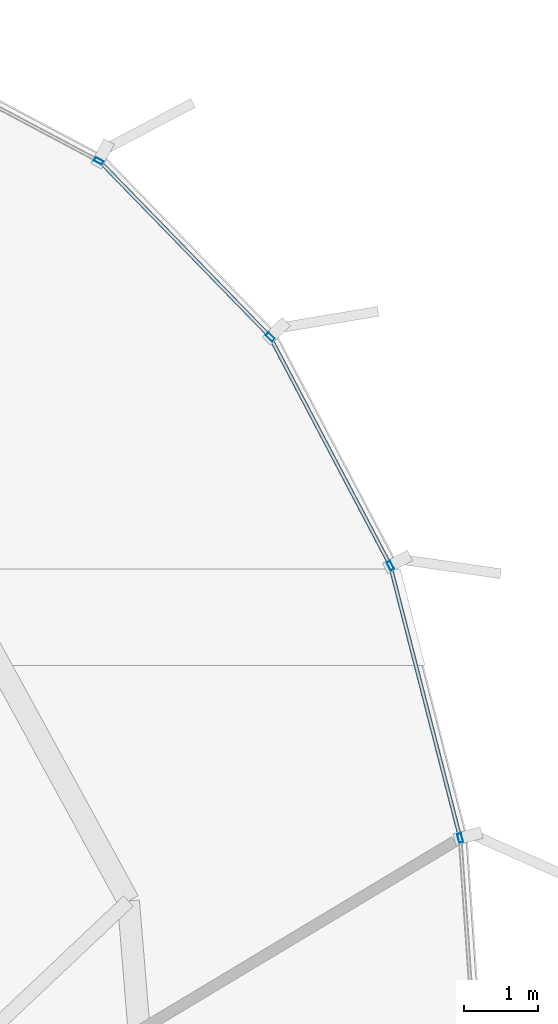
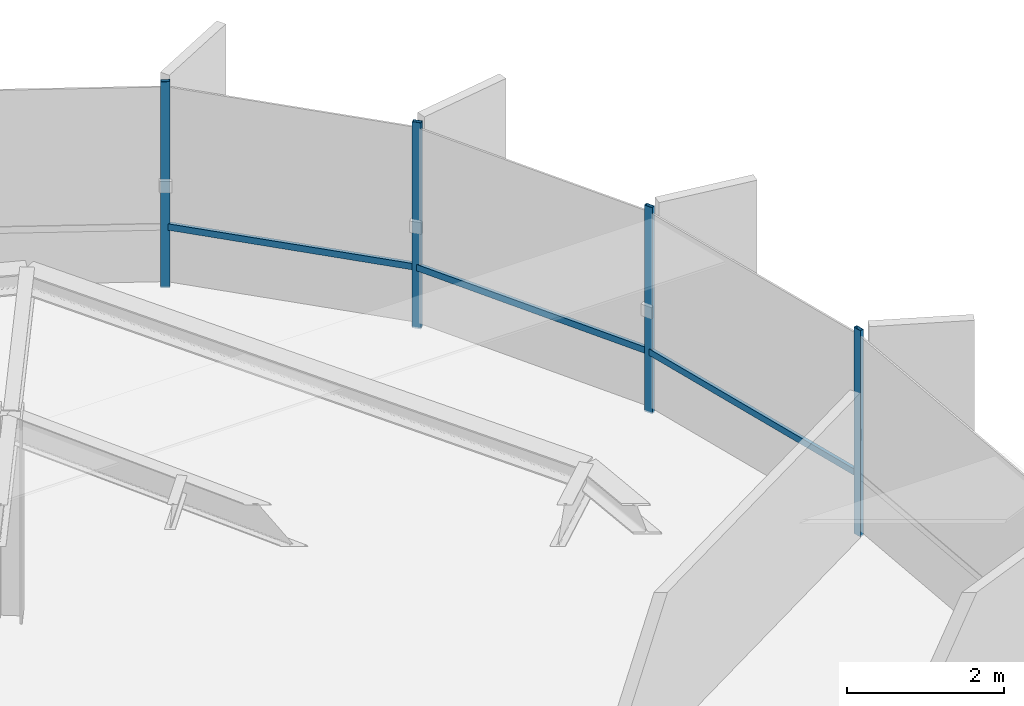
# One storey, part 26 of 35: 7 members, 2 elements without a shape of their own.
"""IFC4 building model written with IfcOpenShell, lengths in metres."""

from ifc_helpers import new_model, si_unit, direction, frame, origin, origin_2d, place, context, subcontext, project, spatial, hollow_rectangle, extrude, source, transform, mapped, material, layer, layer_set, material_profile, profile_set, type_object, element, aggregate, save


model = new_model("IFC4")

# Units and contexts
model_context = context("Model", 3, precision=1e-05, world=origin(), true_north=direction((0.0, 1.0)))
body_context = subcontext(model_context, "Body", "Model", "MODEL_VIEW")
ifc_project = project(units=[si_unit("LENGTHUNIT", "METRE"), si_unit("AREAUNIT", "SQUARE_METRE"), si_unit("VOLUMEUNIT", "CUBIC_METRE"), si_unit("PLANEANGLEUNIT", "RADIAN"), si_unit("MASSUNIT", "GRAM", prefix="KILO"), si_unit("THERMODYNAMICTEMPERATUREUNIT", "KELVIN")], contexts=[model_context])

# Site, building, storey
site_placement = place(None, origin())
site = spatial("IfcSite", under=ifc_project, at=site_placement, CompositionType="ELEMENT")
building_placement = place(site_placement, origin())
building = spatial("IfcBuilding", under=site, at=building_placement, Name="Kethvar Cultural Tower", CompositionType="ELEMENT")
storey_placement = place(building_placement, frame((0.0, 0.0, 249.10009765625)))
storey = spatial("IfcBuildingStorey", under=building, at=storey_placement, Name="L65", CompositionType="ELEMENT", Elevation=249.10009765625)

# Curtain wall, member
ifc_material = material(Name="Aluminium 6063-T6", Category="aluminium")
ifc_layer = layer(ifc_material, 0.179931640625, Name="Aluminium 6063-T6", Category="aluminium")
ifc_layer_set = layer_set([ifc_layer], Name="Aluminium 6063-T6 (180 mm)")
curtain_wall_type = type_object("IfcCurtainWallType", Name="CW-SYS-05-Z56", PredefinedType="NOTDEFINED", material=ifc_layer_set)
curtain_wall_1_placement = place(storey_placement, origin())
curtain_wall_1 = element("IfcCurtainWall", 1, at=curtain_wall_1_placement, inside=storey, type_object=curtain_wall_type, Name="L65 Curtain Wall Run 01", PredefinedType="NOTDEFINED")
ifc_material_profile_1 = material_profile(ifc_material, hollow_rectangle(XDim=0.054931640625, YDim=0.1201171875, WallThickness=0.00390625, at=origin_2d()), Name="Aluminium 6063-T6 — RHS120x55x4")
ifc_profile_set_1 = profile_set([ifc_material_profile_1], Name="Aluminium 6063-T6 — RHS120x55x4")
member_type_1 = type_object("IfcMemberType", Name="CW-SYS-05-Z56-MUL", PredefinedType="MULLION", material=ifc_profile_set_1)
shared_shape_1 = source(origin(), body_context, "Body", "SweptSolid", [
    extrude(hollow_rectangle(XDim=0.054931640625, YDim=0.1201171875, WallThickness=0.00390625, at=origin_2d()), origin(), (0.0, 0.0, 1.0), 3.2099609375),
])
member_1_placement = place(storey_placement, frame((63.249755859375, 49.7421875, 0.0), z_axis=(0.0, 0.0, 1.0), x_axis=(-0.469178740468, -0.883103226974, 0.0)))
member_1 = element("IfcMember", 2, at=member_1_placement, type_object=member_type_1, Name="CW-L65-R01 Mullion 1", PredefinedType="MULLION", context=body_context, shape_type="MappedRepresentation", body=[
    mapped(shared_shape_1, transform((0.0, 0.0, 0.0), scale=1.0)),
])
aggregate(curtain_wall_1, [member_1])

# Curtain wall, members
curtain_wall_2_placement = place(storey_placement, origin())
curtain_wall_2 = element("IfcCurtainWall", 3, at=curtain_wall_2_placement, inside=storey, type_object=curtain_wall_type, Name="L65 Curtain Wall Run 06", PredefinedType="NOTDEFINED")
member_2_placement = place(storey_placement, frame((68.15380859375, 40.55615234375, 0.0), z_axis=(0.0, 0.0, 1.0), x_axis=(-0.968552770699, -0.248808220065, 0.0)))
member_2 = element("IfcMember", 4, at=member_2_placement, type_object=member_type_1, Name="CW-L65-R06 Mullion 4", PredefinedType="MULLION", context=body_context, shape_type="MappedRepresentation", body=[
    mapped(shared_shape_1, transform((0.0, 0.0, 0.0), scale=1.0)),
])
member_3_placement = place(storey_placement, frame((67.20751953125, 44.25146484375, 0.0), z_axis=(0.0, 0.0, 1.0), x_axis=(-0.884930745313, -0.465722638487, 0.0)))
member_3 = element("IfcMember", 5, at=member_3_placement, type_object=member_type_1, Name="CW-L65-R06 Mullion 5", PredefinedType="MULLION", context=body_context, shape_type="MappedRepresentation", body=[
    mapped(shared_shape_1, transform((0.0, 0.0, 0.0), scale=1.0)),
])
member_4_placement = place(storey_placement, frame((65.5791015625, 47.35400390625, 0.0), z_axis=(0.0, 0.0, 1.0), x_axis=(-0.717129593145, -0.696939844345, 0.0)))
member_4 = element("IfcMember", 6, at=member_4_placement, type_object=member_type_1, Name="CW-L65-R06 Mullion 6", PredefinedType="MULLION", context=body_context, shape_type="MappedRepresentation", body=[
    mapped(shared_shape_1, transform((0.0, 0.0, 0.0), scale=1.0)),
])
ifc_material_profile_2 = material_profile(ifc_material, hollow_rectangle(XDim=0.050048828125, YDim=0.10009765625, WallThickness=0.00390625, at=origin_2d()), Name="Aluminium 6063-T6 — RHS100x50x4")
ifc_profile_set_2 = profile_set([ifc_material_profile_2], Name="Aluminium 6063-T6 — RHS100x50x4")
member_type_2 = type_object("IfcMemberType", Name="CW-SYS-05-Z56-TRN", PredefinedType="USERDEFINED", material=ifc_profile_set_2)
shared_shape_2 = source(origin(), body_context, "Body", "SweptSolid", [
    extrude(hollow_rectangle(XDim=0.050048828125, YDim=0.10009765625, WallThickness=0.00390625, at=origin_2d()), origin(), (0.0, 0.0, 1.0), 3.25341796875),
])
member_5_placement = place(storey_placement, frame((65.551513671875, 47.38232421875, 0.949951171875), z_axis=(-0.696903704109, 0.717164714134, 0.0), x_axis=(-0.717164714134, -0.696903704109, 0.0)))
member_5 = element("IfcMember", 7, at=member_5_placement, type_object=member_type_2, Name="CW-L65-R06 Transom 6", ObjectType="TRANSOM", PredefinedType="USERDEFINED", context=body_context, shape_type="MappedRepresentation", body=[
    mapped(shared_shape_2, transform((0.0, 0.0, 0.0), scale=1.0)),
])
shared_shape_3 = source(origin(), body_context, "Body", "SweptSolid", [
    extrude(hollow_rectangle(XDim=0.050048828125, YDim=0.10009765625, WallThickness=0.00390625, at=origin_2d()), origin(), (0.0, 0.0, 1.0), 3.452880859375),
])
member_6_placement = place(storey_placement, frame((67.18896484375, 44.28662109375, 0.949951171875), z_axis=(-0.465755175477, 0.884913620935, 0.0), x_axis=(-0.884913620935, -0.465755175477, 0.0)))
member_6 = element("IfcMember", 8, at=member_6_placement, type_object=member_type_2, Name="CW-L65-R06 Transom 5", ObjectType="TRANSOM", PredefinedType="USERDEFINED", context=body_context, shape_type="MappedRepresentation", body=[
    mapped(shared_shape_3, transform((0.0, 0.0, 0.0), scale=1.0)),
])
shared_shape_4 = source(origin(), body_context, "Body", "SweptSolid", [
    extrude(hollow_rectangle(XDim=0.050048828125, YDim=0.10009765625, WallThickness=0.00390625, at=origin_2d()), origin(), (0.0, 0.0, 1.0), 3.758544921875),
])
member_7_placement = place(storey_placement, frame((68.14404296875, 40.594482421875, 0.949951171875), z_axis=(-0.248781654327, 0.968559594692, 0.0), x_axis=(-0.968559594692, -0.248781654327, 0.0)))
member_7 = element("IfcMember", 9, at=member_7_placement, type_object=member_type_2, Name="CW-L65-R06 Transom 4", ObjectType="TRANSOM", PredefinedType="USERDEFINED", context=body_context, shape_type="MappedRepresentation", body=[
    mapped(shared_shape_4, transform((0.0, 0.0, 0.0), scale=1.0)),
])
aggregate(curtain_wall_2, [member_2, member_3, member_4, member_7, member_6, member_5])

save(model, "model.ifc")
